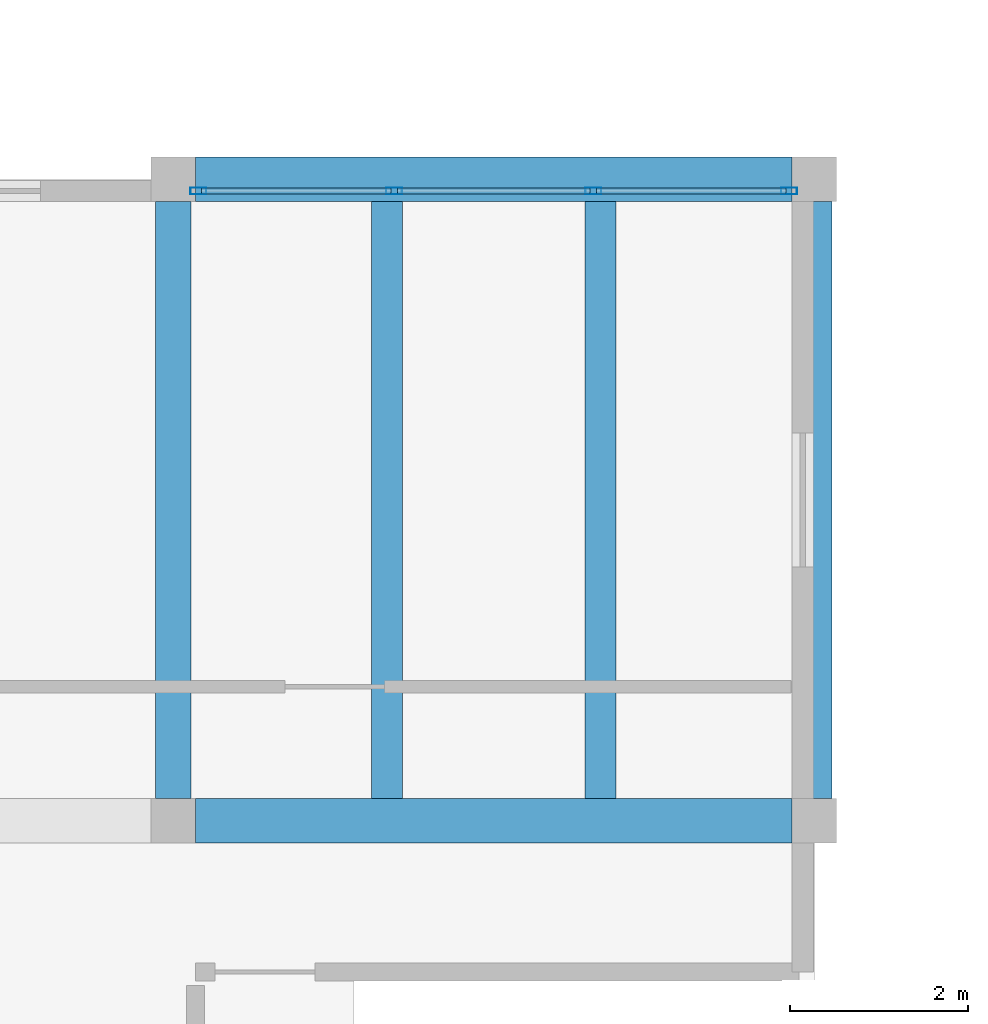
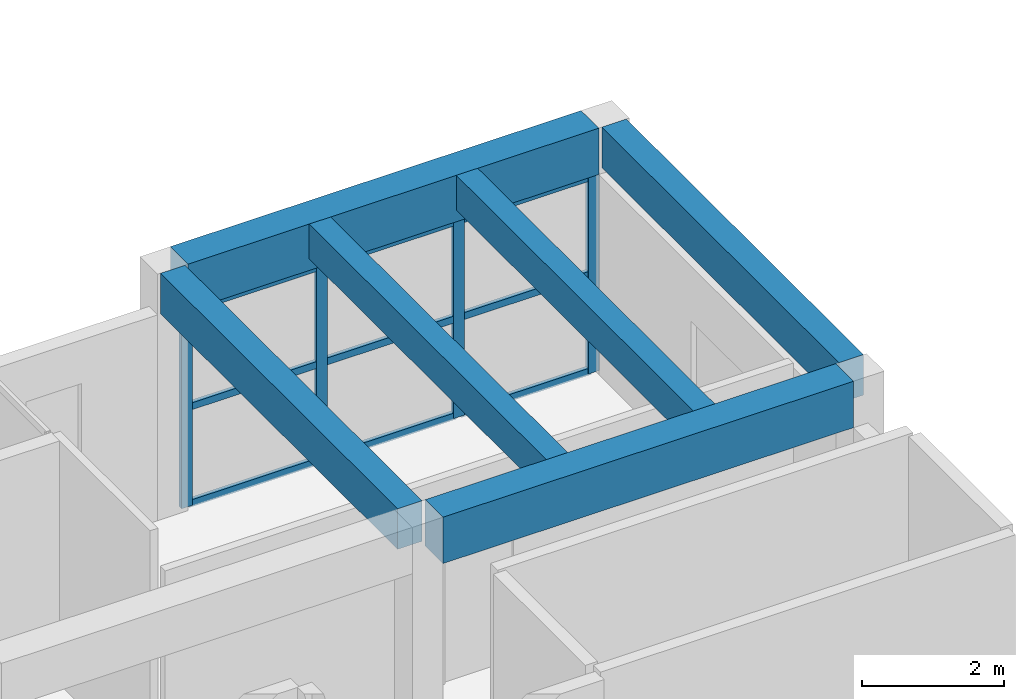
# One storey, part 32 of 153: 13 members, 6 beams, 1 element without a shape of its own.
"""IFC4 building model written with IfcOpenShell, lengths in metres."""

from ifc_helpers import new_model, si_unit, direction, frame, origin, origin_2d, place, context, subcontext, project, spatial, rectangle, hollow_rectangle, extrude, material, material_profile, profile_set, type_object, element, aggregate, save


model = new_model("IFC4")

# Units and contexts
model_context = context("Model", 3, precision=1e-05, world=origin(), true_north=direction((0.0, 1.0)))
body_context = subcontext(model_context, "Body", "Model", "MODEL_VIEW")
ifc_project = project(units=[si_unit("LENGTHUNIT", "METRE"), si_unit("AREAUNIT", "SQUARE_METRE"), si_unit("VOLUMEUNIT", "CUBIC_METRE"), si_unit("PLANEANGLEUNIT", "RADIAN"), si_unit("MASSUNIT", "GRAM", prefix="KILO")], contexts=[model_context])

# Site, building, storey
site_placement = place(None, origin())
site = spatial("IfcSite", under=ifc_project, at=site_placement, CompositionType="ELEMENT")
building_placement = place(site_placement, origin())
building = spatial("IfcBuilding", under=site, at=building_placement, Name="Bramvelor Terrace Health Centre", CompositionType="ELEMENT")
storey_placement = place(building_placement, frame((0.0, 0.0, 4.800048828125)))
storey = spatial("IfcBuildingStorey", under=building, at=storey_placement, Name="L02", CompositionType="ELEMENT", Elevation=4.800048828125)

# Beams
ifc_material_1 = material(Name="Concrete C40/50", Category="concrete")
ifc_material_profile_1 = material_profile(ifc_material_1, rectangle(XDim=0.39990234375, YDim=0.699951171875, at=origin_2d()), Name="RC 400x700")
ifc_profile_set_1 = profile_set([ifc_material_profile_1], Name="Concrete C40/50")
beam_type_1 = type_object("IfcBeamType", Name="BM-RC-G700", PredefinedType="BEAM", material=ifc_profile_set_1)
for number, where, z_axis, x_axis, name in (
    (1, (79.199951171875, 7.449951171875, 3.89990234375), (0.0, 1.0, 0.0), (-1.0, 0.0, 0.0), "L02 Floor Girder"),
    (2, (86.39990234375, 7.449951171875, 3.89990234375), (0.0, 1.0, 0.0), (-1.0, 0.0, 0.0), "L02 Floor Girder"),
):
    element("IfcBeam", number, at=place(storey_placement, frame(where, z_axis=z_axis, x_axis=x_axis)), inside=storey, type_object=beam_type_1, Name=name, PredefinedType="BEAM", context=body_context, shape_type="SweptSolid", body=[
        extrude(rectangle(XDim=0.39990234375, YDim=0.699951171875, at=origin_2d()), origin(), (0.0, 0.0, 1.0), 6.699951171875),
    ])
ifc_material_2 = material(Name="Concrete C40/50", Category="concrete")
ifc_material_profile_2 = material_profile(ifc_material_2, rectangle(XDim=0.5, YDim=0.800048828125, at=origin_2d()), Name="RC 500x800")
ifc_profile_set_2 = profile_set([ifc_material_profile_2], Name="Concrete C40/50")
beam_type_2 = type_object("IfcBeamType", Name="BM-RC-G800", PredefinedType="BEAM", material=ifc_profile_set_2)
for number, where, z_axis, x_axis, name in (
    (3, (79.449951171875, 7.199951171875, 3.849853515625), (1.0, 0.0, 0.0), (0.0, 1.0, 0.0), "L02 Floor Girder"),
    (4, (79.449951171875, 14.39990234375, 3.849853515625), (1.0, 0.0, 0.0), (0.0, 1.0, 0.0), "L02 Floor Girder"),
):
    element("IfcBeam", number, at=place(storey_placement, frame(where, z_axis=z_axis, x_axis=x_axis)), inside=storey, type_object=beam_type_2, Name=name, PredefinedType="BEAM", context=body_context, shape_type="SweptSolid", body=[
        extrude(rectangle(XDim=0.5, YDim=0.800048828125, at=origin_2d()), origin(), (0.0, 0.0, 1.0), 6.699951171875),
    ])
ifc_material_3 = material(Name="Concrete C40/50", Category="concrete")
ifc_material_profile_3 = material_profile(ifc_material_3, rectangle(XDim=0.35009765625, YDim=0.60009765625, at=origin_2d()), Name="RC 350x600")
ifc_profile_set_3 = profile_set([ifc_material_profile_3], Name="Concrete C40/50")
beam_type_3 = type_object("IfcBeamType", Name="BM-RC-J600", PredefinedType="JOIST", material=ifc_profile_set_3)
for number, where, z_axis, x_axis, name in (
    (5, (81.60009765625, 7.449951171875, 3.949951171875), (0.0, 1.0, 0.0), (-1.0, 0.0, 0.0), "L02 Secondary Floor Joist"),
    (6, (84.0, 7.449951171875, 3.949951171875), (0.0, 1.0, 0.0), (-1.0, 0.0, 0.0), "L02 Secondary Floor Joist"),
):
    element("IfcBeam", number, at=place(storey_placement, frame(where, z_axis=z_axis, x_axis=x_axis)), inside=storey, type_object=beam_type_3, Name=name, PredefinedType="JOIST", context=body_context, shape_type="SweptSolid", body=[
        extrude(rectangle(XDim=0.35009765625, YDim=0.60009765625, at=origin_2d()), origin(), (0.0, 0.0, 1.0), 6.699951171875),
    ])

# Curtain wall, members
ifc_material_4 = material(Name="Anodized aluminium and double low-E glass", Category="aluminium")
curtain_wall_type = type_object("IfcCurtainWallType", Name="CW-SYS-16", PredefinedType="NOTDEFINED", material=ifc_material_4)
curtain_wall_placement = place(storey_placement, origin())
curtain_wall = element("IfcCurtainWall", 7, at=curtain_wall_placement, inside=storey, type_object=curtain_wall_type, Name="L02 Unitized Curtain Wall 152", PredefinedType="NOTDEFINED")
ifc_material_5 = material(Name="Anodized aluminium 6063-T6", Category="aluminium")
ifc_material_profile_4 = material_profile(ifc_material_5, hollow_rectangle(XDim=0.074951171875, YDim=0.179931640625, WallThickness=0.00341796875, at=origin_2d()), Name="ALU-MUL 75x180x3.5")
ifc_profile_set_4 = profile_set([ifc_material_profile_4], Name="Anodized aluminium 6063-T6")
member_type_1 = type_object("IfcMemberType", Name="CW-MUL-65x180", PredefinedType="MULLION", material=ifc_profile_set_4)
member_1_placement = place(storey_placement, frame((79.482421875, 14.27001953125, 0.0), z_axis=(0.0, 0.0, 1.0), x_axis=(0.0, 1.0, 0.0)))
member_1 = element("IfcMember", 8, at=member_1_placement, type_object=member_type_1, Name="CW-16 mullion 1", PredefinedType="MULLION", context=body_context, shape_type="SweptSolid", body=[
    extrude(hollow_rectangle(XDim=0.074951171875, YDim=0.179931640625, WallThickness=0.00341796875, at=origin_2d()), origin(), (0.0, 0.0, 1.0), 3.409912109375),
])
member_2_placement = place(storey_placement, frame((81.681640625, 14.27001953125, 0.0), z_axis=(0.0, 0.0, 1.0), x_axis=(0.0, 1.0, 0.0)))
member_2 = element("IfcMember", 9, at=member_2_placement, type_object=member_type_1, Name="CW-16 mullion 2", PredefinedType="MULLION", context=body_context, shape_type="SweptSolid", body=[
    extrude(hollow_rectangle(XDim=0.074951171875, YDim=0.179931640625, WallThickness=0.00341796875, at=origin_2d()), origin(), (0.0, 0.0, 1.0), 3.409912109375),
])
member_3_placement = place(storey_placement, frame((83.918212890625, 14.27001953125, 0.0), z_axis=(0.0, 0.0, 1.0), x_axis=(0.0, 1.0, 0.0)))
member_3 = element("IfcMember", 10, at=member_3_placement, type_object=member_type_1, Name="CW-16 mullion 3", PredefinedType="MULLION", context=body_context, shape_type="SweptSolid", body=[
    extrude(hollow_rectangle(XDim=0.074951171875, YDim=0.179931640625, WallThickness=0.00341796875, at=origin_2d()), origin(), (0.0, 0.0, 1.0), 3.409912109375),
])
member_4_placement = place(storey_placement, frame((86.117431640625, 14.27001953125, 0.0), z_axis=(0.0, 0.0, 1.0), x_axis=(0.0, 1.0, 0.0)))
member_4 = element("IfcMember", 11, at=member_4_placement, type_object=member_type_1, Name="CW-16 mullion 4", PredefinedType="MULLION", context=body_context, shape_type="SweptSolid", body=[
    extrude(hollow_rectangle(XDim=0.074951171875, YDim=0.179931640625, WallThickness=0.00341796875, at=origin_2d()), origin(), (0.0, 0.0, 1.0), 3.409912109375),
])
ifc_material_6 = material(Name="Anodized aluminium 6063-T6", Category="aluminium")
ifc_material_profile_5 = material_profile(ifc_material_6, hollow_rectangle(XDim=0.06494140625, YDim=0.1201171875, WallThickness=0.0029296875, at=origin_2d()), Name="ALU-TRN 65x120x3.0")
ifc_profile_set_5 = profile_set([ifc_material_profile_5], Name="Anodized aluminium 6063-T6")
member_type_2 = type_object("IfcMemberType", Name="CW-TRN-65x150", PredefinedType="USERDEFINED", material=ifc_profile_set_5)
member_5_placement = place(storey_placement, frame((79.52001953125, 14.27001953125, 0.032470703125), z_axis=(1.0, 0.0, 0.0), x_axis=(0.0, 1.0, 0.0)))
member_5 = element("IfcMember", 12, at=member_5_placement, type_object=member_type_2, Name="CW-16 transom 1.1", ObjectType="TRANSOM", PredefinedType="USERDEFINED", context=body_context, shape_type="SweptSolid", body=[
    extrude(hollow_rectangle(XDim=0.06494140625, YDim=0.1201171875, WallThickness=0.0029296875, at=origin_2d()), origin(), (0.0, 0.0, 1.0), 2.124267578125),
])
member_6_placement = place(storey_placement, frame((79.52001953125, 14.27001953125, 1.704833984375), z_axis=(1.0, 0.0, 0.0), x_axis=(0.0, 1.0, 0.0)))
member_6 = element("IfcMember", 13, at=member_6_placement, type_object=member_type_2, Name="CW-16 transom 1.2", ObjectType="TRANSOM", PredefinedType="USERDEFINED", context=body_context, shape_type="SweptSolid", body=[
    extrude(hollow_rectangle(XDim=0.06494140625, YDim=0.1201171875, WallThickness=0.0029296875, at=origin_2d()), origin(), (0.0, 0.0, 1.0), 2.124267578125),
])
member_7_placement = place(storey_placement, frame((79.52001953125, 14.27001953125, 3.37744140625), z_axis=(1.0, 0.0, 0.0), x_axis=(0.0, 1.0, 0.0)))
member_7 = element("IfcMember", 14, at=member_7_placement, type_object=member_type_2, Name="CW-16 transom 1.3", ObjectType="TRANSOM", PredefinedType="USERDEFINED", context=body_context, shape_type="SweptSolid", body=[
    extrude(hollow_rectangle(XDim=0.06494140625, YDim=0.1201171875, WallThickness=0.0029296875, at=origin_2d()), origin(), (0.0, 0.0, 1.0), 2.124267578125),
])
member_8_placement = place(storey_placement, frame((81.71923828125, 14.27001953125, 0.032470703125), z_axis=(1.0, 0.0, 0.0), x_axis=(0.0, 1.0, 0.0)))
member_8 = element("IfcMember", 15, at=member_8_placement, type_object=member_type_2, Name="CW-16 transom 2.1", ObjectType="TRANSOM", PredefinedType="USERDEFINED", context=body_context, shape_type="SweptSolid", body=[
    extrude(hollow_rectangle(XDim=0.06494140625, YDim=0.1201171875, WallThickness=0.0029296875, at=origin_2d()), origin(), (0.0, 0.0, 1.0), 2.16162109375),
])
member_9_placement = place(storey_placement, frame((81.71923828125, 14.27001953125, 1.704833984375), z_axis=(1.0, 0.0, 0.0), x_axis=(0.0, 1.0, 0.0)))
member_9 = element("IfcMember", 16, at=member_9_placement, type_object=member_type_2, Name="CW-16 transom 2.2", ObjectType="TRANSOM", PredefinedType="USERDEFINED", context=body_context, shape_type="SweptSolid", body=[
    extrude(hollow_rectangle(XDim=0.06494140625, YDim=0.1201171875, WallThickness=0.0029296875, at=origin_2d()), origin(), (0.0, 0.0, 1.0), 2.16162109375),
])
member_10_placement = place(storey_placement, frame((81.71923828125, 14.27001953125, 3.37744140625), z_axis=(1.0, 0.0, 0.0), x_axis=(0.0, 1.0, 0.0)))
member_10 = element("IfcMember", 17, at=member_10_placement, type_object=member_type_2, Name="CW-16 transom 2.3", ObjectType="TRANSOM", PredefinedType="USERDEFINED", context=body_context, shape_type="SweptSolid", body=[
    extrude(hollow_rectangle(XDim=0.06494140625, YDim=0.1201171875, WallThickness=0.0029296875, at=origin_2d()), origin(), (0.0, 0.0, 1.0), 2.16162109375),
])
member_11_placement = place(storey_placement, frame((83.955810546875, 14.27001953125, 0.032470703125), z_axis=(1.0, 0.0, 0.0), x_axis=(0.0, 1.0, 0.0)))
member_11 = element("IfcMember", 18, at=member_11_placement, type_object=member_type_2, Name="CW-16 transom 3.1", ObjectType="TRANSOM", PredefinedType="USERDEFINED", context=body_context, shape_type="SweptSolid", body=[
    extrude(hollow_rectangle(XDim=0.06494140625, YDim=0.1201171875, WallThickness=0.0029296875, at=origin_2d()), origin(), (0.0, 0.0, 1.0), 2.124267578125),
])
member_12_placement = place(storey_placement, frame((83.955810546875, 14.27001953125, 1.704833984375), z_axis=(1.0, 0.0, 0.0), x_axis=(0.0, 1.0, 0.0)))
member_12 = element("IfcMember", 19, at=member_12_placement, type_object=member_type_2, Name="CW-16 transom 3.2", ObjectType="TRANSOM", PredefinedType="USERDEFINED", context=body_context, shape_type="SweptSolid", body=[
    extrude(hollow_rectangle(XDim=0.06494140625, YDim=0.1201171875, WallThickness=0.0029296875, at=origin_2d()), origin(), (0.0, 0.0, 1.0), 2.124267578125),
])
member_13_placement = place(storey_placement, frame((83.955810546875, 14.27001953125, 3.37744140625), z_axis=(1.0, 0.0, 0.0), x_axis=(0.0, 1.0, 0.0)))
member_13 = element("IfcMember", 20, at=member_13_placement, type_object=member_type_2, Name="CW-16 transom 3.3", ObjectType="TRANSOM", PredefinedType="USERDEFINED", context=body_context, shape_type="SweptSolid", body=[
    extrude(hollow_rectangle(XDim=0.06494140625, YDim=0.1201171875, WallThickness=0.0029296875, at=origin_2d()), origin(), (0.0, 0.0, 1.0), 2.124267578125),
])
aggregate(curtain_wall, [member_1, member_2, member_3, member_4, member_5, member_6, member_7, member_8, member_9, member_10, member_11, member_12, member_13])

save(model, "model.ifc")
